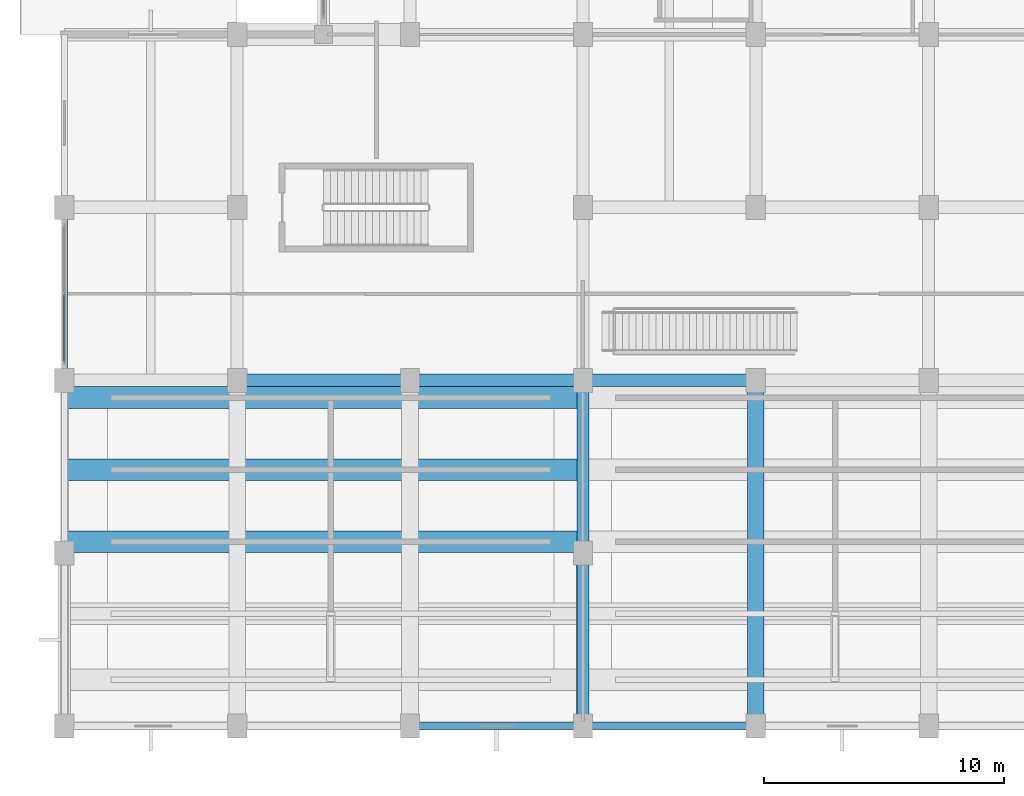
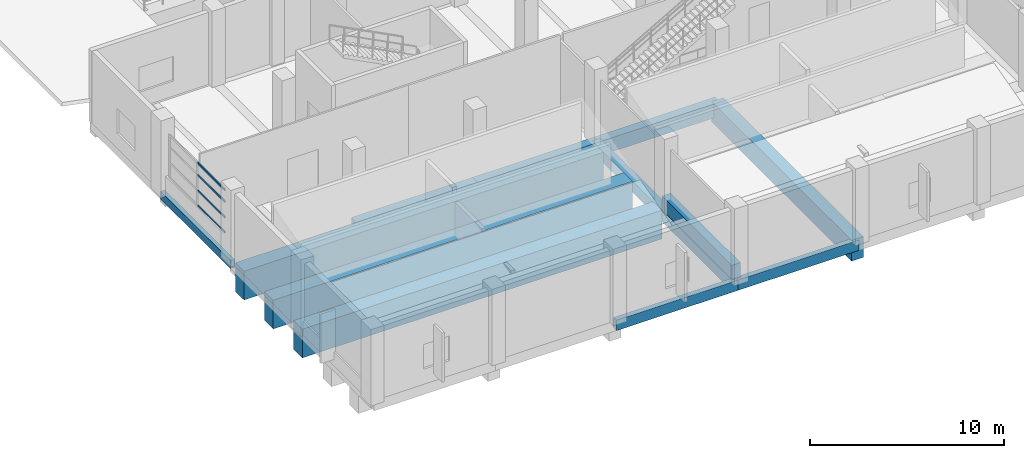
# One storey, part 5 of 140: 13 beams, 4 members, 1 element without a shape of its own.
"""IFC4 building model written with IfcOpenShell, lengths in metres."""

import ifcopenshell
import ifcopenshell.guid

model = None  # the IFC model being written
_history = None  # IfcOwnerHistory: only IFC2X3 demands one
_inside = {}  # id of a spatial element -> (the spatial element, [elements in it])
_under = {}  # id of a project, library or spatial element -> (it, [spatial elements below it])
_declared = {}  # id of a project -> (the project, [libraries it declares])
_typed = {}  # id of a type object -> (the type object, [elements of that type])
_made_of = {}  # id of a material, layer set ... -> (it, [elements and type objects made of it])


def new_model(schema):
    """Start an empty IFC model of exactly this schema.

    Asked for "IFC4X3", IfcOpenShell would pick the latest addendum, in which some entities
    have other attributes; the version numbers below select the first issue.
    IFC2X3 requires an IfcOwnerHistory on every rooted entity: one is made here for all.
    """
    global model, _history
    if schema == "IFC4X3":
        model = ifcopenshell.file(schema_version=(4, 3, 0, 0))
    else:
        model = ifcopenshell.file(schema=schema)
    _inside.clear()
    _under.clear()
    _declared.clear()
    _typed.clear()
    _made_of.clear()
    _history = None
    if model.schema == "IFC2X3":
        org = make("IfcOrganization", Name="unknown")
        user = make(
            "IfcPersonAndOrganization",
            ThePerson=make("IfcPerson", FamilyName="unknown"),
            TheOrganization=org,
        )
        app = make(
            "IfcApplication",
            ApplicationDeveloper=org,
            Version="unknown",
            ApplicationFullName="unknown",
            ApplicationIdentifier="unknown",
        )
        _history = make(
            "IfcOwnerHistory",
            OwningUser=user,
            OwningApplication=app,
            ChangeAction="ADDED",
            CreationDate=0,
        )
    return model


def make(cls, **values):
    """One entity of the class cls with the attributes given. An attribute that is None is left unset."""
    return model.create_entity(
        cls, **{name: value for name, value in values.items() if value is not None}
    )


def rooted(cls, **values):
    """An entity with a GlobalId (a new one), such as an element, a storey or a relation."""
    return make(cls, GlobalId=ifcopenshell.guid.new(), OwnerHistory=_history, **values)


def si_unit(unit_type, name, prefix=None):
    """IfcSIUnit, for example si_unit("LENGTHUNIT", "METRE", prefix="MILLI")."""
    return make("IfcSIUnit", UnitType=unit_type, Prefix=prefix, Name=name)


def assignment(units):
    """IfcUnitAssignment: the units of a project."""
    return None if units is None else make("IfcUnitAssignment", Units=units)


def point(xyz):
    """IfcCartesianPoint."""
    return None if xyz is None else make("IfcCartesianPoint", Coordinates=xyz)


def direction(xyz):
    """IfcDirection."""
    return None if xyz is None else make("IfcDirection", DirectionRatios=xyz)


def frame(location, z_axis=None, x_axis=None):
    """IfcAxis2Placement3D, a coordinate frame: its origin and axes. An axis left out is left unset."""
    return make(
        "IfcAxis2Placement3D",
        Location=point(location),
        Axis=direction(z_axis),
        RefDirection=direction(x_axis),
    )


def frame_2d(location, x_axis=None):
    """IfcAxis2Placement2D, a coordinate frame in the plane: its origin and x axis."""
    return make(
        "IfcAxis2Placement2D", Location=point(location), RefDirection=direction(x_axis)
    )


def origin():
    """The frame at (0, 0, 0) with its axes left unset."""
    return frame((0.0, 0.0, 0.0))


def origin_2d():
    """The frame at (0, 0) in the plane with its x axis left unset."""
    return frame_2d((0.0, 0.0))


def place(relative_to, where):
    """IfcLocalPlacement: puts the frame where relative to a parent placement (None: the world)."""
    return make(
        "IfcLocalPlacement", PlacementRelTo=relative_to, RelativePlacement=where
    )


def context(
    kind, dimensions, precision=None, world=None, true_north=None, identifier=None
):
    """IfcGeometricRepresentationContext, for example the 3D "Model" context."""
    return make(
        "IfcGeometricRepresentationContext",
        ContextIdentifier=identifier,
        ContextType=kind,
        CoordinateSpaceDimension=dimensions,
        Precision=precision,
        WorldCoordinateSystem=world,
        TrueNorth=true_north,
    )


def subcontext(parent, identifier, kind, view, scale=None):
    """IfcGeometricRepresentationSubContext, for example "Body" below "Model"."""
    return make(
        "IfcGeometricRepresentationSubContext",
        ContextIdentifier=identifier,
        ContextType=kind,
        ParentContext=parent,
        TargetScale=scale,
        TargetView=view,
    )


def project(units=None, contexts=None):
    """IfcProject with its units and contexts."""
    return rooted(
        "IfcProject",
        Name="project",
        RepresentationContexts=contexts,
        UnitsInContext=assignment(units),
    )


def spatial(cls, under=None, at=None, **own):
    """A site, building, storey or space (cls), placed at a placement, below another one or the project."""
    s = rooted(cls, ObjectPlacement=at, **own)
    if under is not None:
        _under.setdefault(under.id(), (under, []))[1].append(s)
    return s


def profile(cls, at=None, kind="AREA", **sizes):
    """A parametric profile (cls). Its sizes go by their IFC names, for example OverallWidth=200.0."""
    return make(cls, ProfileType=kind, Position=at, **sizes)


def rectangle(**sizes):
    """IfcRectangleProfileDef."""
    return profile("IfcRectangleProfileDef", **sizes)


def hollow_rectangle(**sizes):
    """IfcRectangleHollowProfileDef."""
    return profile("IfcRectangleHollowProfileDef", **sizes)


def extrude(swept, where, along, depth):
    """IfcExtrudedAreaSolid: the profile swept, set in the frame where, extruded along a direction by depth."""
    return make(
        "IfcExtrudedAreaSolid",
        SweptArea=swept,
        Position=where,
        ExtrudedDirection=direction(along),
        Depth=depth,
    )


def shape(context_of_items, identifier, shape_type, items):
    """IfcShapeRepresentation: the items that make up one representation, for example the "Body"."""
    return make(
        "IfcShapeRepresentation",
        ContextOfItems=context_of_items,
        RepresentationIdentifier=identifier,
        RepresentationType=shape_type,
        Items=items,
    )


def material(Name=None, Category=None):
    """IfcMaterial."""
    return make("IfcMaterial", Name=Name, Category=Category)


def layer(
    of_material, thickness, ventilated=None, Name=None, Category=None, Priority=None
):
    """IfcMaterialLayer: one layer of a wall or slab, of a material (None: an air gap)."""
    return make(
        "IfcMaterialLayer",
        Material=of_material,
        LayerThickness=thickness,
        IsVentilated=ventilated,
        Name=Name,
        Category=Category,
        Priority=Priority,
    )


def layer_set(layers, Name=None):
    """IfcMaterialLayerSet."""
    return make("IfcMaterialLayerSet", MaterialLayers=layers, LayerSetName=Name)


def material_profile(
    of_material, cross_section, Name=None, Category=None, Priority=None
):
    """IfcMaterialProfile: a cross section and its material."""
    return make(
        "IfcMaterialProfile",
        Name=Name,
        Material=of_material,
        Profile=cross_section,
        Priority=Priority,
        Category=Category,
    )


def profile_set(profiles, Name=None, composite=None):
    """IfcMaterialProfileSet."""
    return make(
        "IfcMaterialProfileSet",
        Name=Name,
        MaterialProfiles=profiles,
        CompositeProfile=composite,
    )


def made_of(thing, what):
    """Note that an element or type object is made of a material, layer set ...; save() writes the relation."""
    if what is not None:
        _made_of.setdefault(what.id(), (what, []))[1].append(thing)
    return thing


def type_object(cls, material=None, **own):
    """A type object (cls), such as IfcWallType, which elements share."""
    return made_of(rooted(cls, **own), material)


def element(
    cls,
    number,
    at=None,
    inside=None,
    cuts=None,
    type_object=None,
    material=None,
    context=None,
    identifier="Body",
    shape_type=None,
    held_by="IfcProductDefinitionShape",
    body=None,
    shapes=None,
    **own,
):
    """One element of the class cls, such as IfcWall. Its Tag is "e" and its number.

    at: its placement. inside: the storey or other place that contains it. cuts: it is an
    opening in that element (IfcRelVoidsElement). A single representation is given by context,
    identifier, shape_type and body (its items); several are given by shapes. held_by: the class
    of the entity that holds the representations. save() writes the other relations.
    """
    e = rooted(cls, Tag="e%d" % number, ObjectPlacement=at, **own)
    if body is not None:
        shapes = [shape(context, identifier, shape_type, body)]
    if shapes is not None:
        e.Representation = make(held_by, Representations=shapes)
    if inside is not None:
        _inside.setdefault(inside.id(), (inside, []))[1].append(e)
    if cuts is not None:
        rooted(
            "IfcRelVoidsElement", RelatingBuildingElement=cuts, RelatedOpeningElement=e
        )
    if type_object is not None:
        _typed.setdefault(type_object.id(), (type_object, []))[1].append(e)
    return made_of(e, material)


def aggregate(whole, parts):
    """IfcRelAggregates: a whole, such as a stair, and the parts it consists of."""
    return rooted("IfcRelAggregates", RelatingObject=whole, RelatedObjects=parts)


def save(model, path):
    """Write the relations noted so far, then the file.

    IfcRelAggregates (storeys below a building ...), IfcRelContainedInSpatialStructure (elements
    in a storey), IfcRelDefinesByType, IfcRelAssociatesMaterial and IfcRelDeclares: one each for
    every whole, place, type object, material and project.
    """
    for whole, parts in _under.values():
        aggregate(whole, parts)
    for where, things in _inside.values():
        rooted(
            "IfcRelContainedInSpatialStructure",
            RelatedElements=things,
            RelatingStructure=where,
        )
    for kind, things in _typed.values():
        rooted("IfcRelDefinesByType", RelatedObjects=things, RelatingType=kind)
    for what, things in _made_of.values():
        rooted("IfcRelAssociatesMaterial", RelatedObjects=things, RelatingMaterial=what)
    for by, libraries in _declared.values():
        rooted("IfcRelDeclares", RelatingContext=by, RelatedDefinitions=libraries)
    model.write(path)


model = new_model("IFC4")

# Units and contexts
model_context = context("Model", 3, precision=1e-05, world=origin(), true_north=direction((0.0, 1.0)))
body_context = subcontext(model_context, "Body", "Model", "MODEL_VIEW")
ifc_project = project(units=[si_unit("LENGTHUNIT", "METRE"), si_unit("AREAUNIT", "SQUARE_METRE"), si_unit("VOLUMEUNIT", "CUBIC_METRE"), si_unit("PLANEANGLEUNIT", "RADIAN"), si_unit("MASSUNIT", "GRAM", prefix="KILO")], contexts=[model_context])

# Site, building, storey
site_placement = place(None, origin())
site = spatial("IfcSite", under=ifc_project, at=site_placement, CompositionType="ELEMENT")
building_placement = place(site_placement, origin())
building = spatial("IfcBuilding", under=site, at=building_placement, Name="Seraya Terrace Polytechnic", CompositionType="ELEMENT")
storey_placement = place(building_placement, frame((0.0, 0.0, 9.60009765625)))
storey = spatial("IfcBuildingStorey", under=building, at=storey_placement, Name="L02", CompositionType="ELEMENT", Elevation=9.60009765625)

# Beams
ifc_material_1 = material(Name="Concrete C40/50", Category="concrete")
ifc_material_profile_1 = material_profile(ifc_material_1, rectangle(XDim=0.699951171875, YDim=1.300048828125, at=origin_2d()), Name="RC 700x1300")
ifc_profile_set_1 = profile_set([ifc_material_profile_1], Name="Concrete C40/50")
beam_type_1 = type_object("IfcBeamType", Name="BG-01", PredefinedType="USERDEFINED", material=ifc_profile_set_1)
beam_1_placement = place(storey_placement, frame((28.800048828125, 0.0, -0.650146484375), z_axis=(0.0, 1.0, 0.0), x_axis=(-1.0, 0.0, 0.0)))
element("IfcBeam", 1, at=beam_1_placement, inside=storey, type_object=beam_type_1, Name="Beam BG-01 L02 Y (28.8, 0.0..14.4)", ObjectType="GIRDER", PredefinedType="USERDEFINED", context=body_context, shape_type="SweptSolid", body=[
    extrude(rectangle(XDim=0.699951171875, YDim=1.300048828125, at=origin_2d()), origin(), (0.0, 0.0, 1.0), 14.39990234375),
])
ifc_material_profile_2 = material_profile(ifc_material_1, rectangle(XDim=0.52001953125, YDim=0.8798828125, at=origin_2d()), Name="RC 520x880")
ifc_profile_set_2 = profile_set([ifc_material_profile_2], Name="Concrete C40/50")
beam_type_2 = type_object("IfcBeamType", Name="BM-04", PredefinedType="BEAM", material=ifc_profile_set_2)
beam_2_placement = place(storey_placement, frame((7.199951171875, 14.39990234375, -0.440185546875), z_axis=(1.0, 0.0, 0.0), x_axis=(0.0, 1.0, 0.0)))
element("IfcBeam", 2, at=beam_2_placement, inside=storey, type_object=beam_type_2, Name="Beam BM-04 L02 X (7.2..14.4, 14.4)", PredefinedType="BEAM", context=body_context, shape_type="SweptSolid", body=[
    extrude(rectangle(XDim=0.52001953125, YDim=0.8798828125, at=origin_2d()), origin(), (0.0, 0.0, 1.0), 7.199951171875),
])
beam_3_placement = place(storey_placement, frame((14.39990234375, 14.39990234375, -0.440185546875), z_axis=(1.0, 0.0, 0.0), x_axis=(0.0, 1.0, 0.0)))
element("IfcBeam", 3, at=beam_3_placement, inside=storey, type_object=beam_type_2, Name="Beam BM-04 L02 X (14.4..21.6, 14.4)", PredefinedType="BEAM", context=body_context, shape_type="SweptSolid", body=[
    extrude(rectangle(XDim=0.52001953125, YDim=0.8798828125, at=origin_2d()), origin(), (0.0, 0.0, 1.0), 7.2001953125),
])
for number, where, z_axis, x_axis, name in (
    (4, (21.60009765625, 14.39990234375, -0.440185546875), (1.0, 0.0, 0.0), (0.0, 1.0, 0.0), "Beam BM-04 L02 X (21.6..28.8, 14.4)"),
    (5, (21.60009765625, 0.0, 0.47998046875), (0.0, 1.0, 0.0), (-1.0, 0.0, 0.0), "Lecture tier cheek beam W2"),
):
    element("IfcBeam", number, at=place(storey_placement, frame(where, z_axis=z_axis, x_axis=x_axis)), inside=storey, type_object=beam_type_2, Name=name, PredefinedType="BEAM", context=body_context, shape_type="SweptSolid", body=[
        extrude(rectangle(XDim=0.52001953125, YDim=0.8798828125, at=origin_2d()), origin(), (0.0, 0.0, 1.0), 7.199951171875),
    ])
ifc_material_profile_3 = material_profile(ifc_material_1, rectangle(XDim=0.5, YDim=0.699951171875, at=origin_2d()), Name="RC 500x700")
ifc_profile_set_3 = profile_set([ifc_material_profile_3], Name="Concrete C40/50")
beam_type_3 = type_object("IfcBeamType", Name="BM-07", PredefinedType="BEAM", material=ifc_profile_set_3)
for number, where, z_axis, x_axis, name in (
    (6, (21.60009765625, 0.0, -0.35009765625), (0.0, 1.0, 0.0), (-1.0, 0.0, 0.0), "Beam BM-07 L02 Y (21.6, 0.0..7.2)"),
    (7, (21.60009765625, 7.199951171875, -0.35009765625), (0.0, 1.0, 0.0), (-1.0, 0.0, 0.0), "Beam BM-07 L02 Y (21.6, 7.2..14.4)"),
):
    element("IfcBeam", number, at=place(storey_placement, frame(where, z_axis=z_axis, x_axis=x_axis)), inside=storey, type_object=beam_type_3, Name=name, PredefinedType="BEAM", context=body_context, shape_type="SweptSolid", body=[
        extrude(rectangle(XDim=0.5, YDim=0.699951171875, at=origin_2d()), origin(), (0.0, 0.0, 1.0), 7.199951171875),
    ])

# Curtain wall, members
ifc_material_2 = material(Name="Anodised aluminium EN AW-6063 T6", Category="aluminium")
ifc_layer = layer(ifc_material_2, 0.179931640625, Name="CW-05")
ifc_layer_set = layer_set([ifc_layer], Name="Anodised aluminium EN AW-6063 T6")
curtain_wall_type = type_object("IfcCurtainWallType", Name="CW-05", PredefinedType="NOTDEFINED", material=ifc_layer_set)
curtain_wall_placement = place(storey_placement, origin())
curtain_wall = element("IfcCurtainWall", 8, at=curtain_wall_placement, inside=storey, type_object=curtain_wall_type, Name="Unitised curtain wall CW-05 (CW-L02-077)", PredefinedType="NOTDEFINED")
ifc_material_profile_4 = material_profile(ifc_material_2, hollow_rectangle(XDim=0.06005859375, YDim=0.1201171875, WallThickness=0.003173828125, at=origin_2d()), Name="RHS 120x60x3.2")
ifc_profile_set_4 = profile_set([ifc_material_profile_4], Name="Anodised aluminium EN AW-6063 T6")
member_type = type_object("IfcMemberType", Name="CWT-02", PredefinedType="USERDEFINED", material=ifc_profile_set_4)
member_1_placement = place(storey_placement, frame((0.0, 15.179931640625, 1.27001953125), z_axis=(0.0, 1.0, 0.0), x_axis=(-1.0, 0.0, 0.0)))
member_1 = element("IfcMember", 9, at=member_1_placement, type_object=member_type, Name="CW-05 transom 1.1", ObjectType="TRANSOM", PredefinedType="USERDEFINED", context=body_context, shape_type="SweptSolid", body=[
    extrude(hollow_rectangle(XDim=0.06005859375, YDim=0.1201171875, WallThickness=0.003173828125, at=origin_2d()), origin(), (0.0, 0.0, 1.0), 2.7900390625),
])
member_2_placement = place(storey_placement, frame((0.0, 15.179931640625, 2.218994140625), z_axis=(0.0, 1.0, 0.0), x_axis=(-1.0, 0.0, 0.0)))
member_2 = element("IfcMember", 10, at=member_2_placement, type_object=member_type, Name="CW-05 transom 1.2", ObjectType="TRANSOM", PredefinedType="USERDEFINED", context=body_context, shape_type="SweptSolid", body=[
    extrude(hollow_rectangle(XDim=0.06005859375, YDim=0.1201171875, WallThickness=0.003173828125, at=origin_2d()), origin(), (0.0, 0.0, 1.0), 2.7900390625),
])
member_3_placement = place(storey_placement, frame((0.0, 15.179931640625, 3.1982421875), z_axis=(0.0, 1.0, 0.0), x_axis=(-1.0, 0.0, 0.0)))
member_3 = element("IfcMember", 11, at=member_3_placement, type_object=member_type, Name="CW-05 transom 1.3", ObjectType="TRANSOM", PredefinedType="USERDEFINED", context=body_context, shape_type="SweptSolid", body=[
    extrude(hollow_rectangle(XDim=0.06005859375, YDim=0.1201171875, WallThickness=0.003173828125, at=origin_2d()), origin(), (0.0, 0.0, 1.0), 2.7900390625),
])
member_4_placement = place(storey_placement, frame((0.0, 15.179931640625, 3.929931640625), z_axis=(0.0, 1.0, 0.0), x_axis=(-1.0, 0.0, 0.0)))
member_4 = element("IfcMember", 12, at=member_4_placement, type_object=member_type, Name="CW-05 transom 1.4", ObjectType="TRANSOM", PredefinedType="USERDEFINED", context=body_context, shape_type="SweptSolid", body=[
    extrude(hollow_rectangle(XDim=0.06005859375, YDim=0.1201171875, WallThickness=0.003173828125, at=origin_2d()), origin(), (0.0, 0.0, 1.0), 2.7900390625),
])
aggregate(curtain_wall, [member_1, member_2, member_3, member_4])

# Beams
ifc_material_profile_5 = material_profile(ifc_material_1, rectangle(XDim=0.300048828125, YDim=0.64990234375, at=origin_2d()), Name="RC 300x650")
ifc_profile_set_5 = profile_set([ifc_material_profile_5], Name="Concrete C40/50")
beam_type_4 = type_object("IfcBeamType", Name="SP-01", PredefinedType="SPANDREL", material=ifc_profile_set_5)
beam_4_placement = place(storey_placement, frame((14.39990234375, 0.0, -0.3251953125), z_axis=(1.0, 0.0, 0.0), x_axis=(0.0, 1.0, 0.0)))
element("IfcBeam", 13, at=beam_4_placement, inside=storey, type_object=beam_type_4, Name="Beam SP-01 L02 X (14.4..21.6, 0.0)", PredefinedType="SPANDREL", context=body_context, shape_type="SweptSolid", body=[
    extrude(rectangle(XDim=0.300048828125, YDim=0.64990234375, at=origin_2d()), origin(), (0.0, 0.0, 1.0), 7.2001953125),
])
beam_5_placement = place(storey_placement, frame((21.60009765625, 0.0, -0.3251953125), z_axis=(1.0, 0.0, 0.0), x_axis=(0.0, 1.0, 0.0)))
element("IfcBeam", 14, at=beam_5_placement, inside=storey, type_object=beam_type_4, Name="Beam SP-01 L02 X (21.6..28.8, 0.0)", PredefinedType="SPANDREL", context=body_context, shape_type="SweptSolid", body=[
    extrude(rectangle(XDim=0.300048828125, YDim=0.64990234375, at=origin_2d()), origin(), (0.0, 0.0, 1.0), 7.199951171875),
])
ifc_material_profile_6 = material_profile(ifc_material_1, rectangle(XDim=0.25, YDim=0.5, at=origin_2d()), Name="RC 250x500")
ifc_profile_set_6 = profile_set([ifc_material_profile_6], Name="Concrete C40/50")
beam_type_5 = type_object("IfcBeamType", Name="SP-03", PredefinedType="SPANDREL", material=ifc_profile_set_6)
beam_6_placement = place(storey_placement, frame((0.0, 14.39990234375, -0.25), z_axis=(0.0, 1.0, 0.0), x_axis=(-1.0, 0.0, 0.0)))
element("IfcBeam", 15, at=beam_6_placement, inside=storey, type_object=beam_type_5, Name="Beam SP-03 L02 Y (0.0, 14.4..21.6)", PredefinedType="SPANDREL", context=body_context, shape_type="SweptSolid", body=[
    extrude(rectangle(XDim=0.25, YDim=0.5, at=origin_2d()), origin(), (0.0, 0.0, 1.0), 7.2001953125),
])
ifc_material_profile_7 = material_profile(ifc_material_1, rectangle(XDim=0.89990234375, YDim=1.800048828125, at=origin_2d()), Name="RC 900x1800")
ifc_profile_set_7 = profile_set([ifc_material_profile_7], Name="Concrete C40/50")
beam_type_6 = type_object("IfcBeamType", Name="TG-01", PredefinedType="USERDEFINED", material=ifc_profile_set_7)
for number, where, z_axis, x_axis, name in (
    (16, (0.0, 7.679931640625, -0.900146484375), (1.0, 0.0, 0.0), (0.0, 1.0, 0.0), "Lecture tier support girder TG-01 L02 Y=7.68 #1"),
    (17, (0.0, 10.679931640625, -0.900146484375), (1.0, 0.0, 0.0), (0.0, 1.0, 0.0), "Lecture tier support girder TG-01 L02 Y=10.68 #1"),
    (18, (0.0, 13.679931640625, -0.900146484375), (1.0, 0.0, 0.0), (0.0, 1.0, 0.0), "Lecture tier support girder TG-01 L02 Y=13.68 #1"),
):
    element("IfcBeam", number, at=place(storey_placement, frame(where, z_axis=z_axis, x_axis=x_axis)), inside=storey, type_object=beam_type_6, Name=name, ObjectType="GIRDER", PredefinedType="USERDEFINED", context=body_context, shape_type="SweptSolid", body=[
        extrude(rectangle(XDim=0.89990234375, YDim=1.800048828125, at=origin_2d()), origin(), (0.0, 0.0, 1.0), 21.35009765625),
    ])

save(model, "model.ifc")
